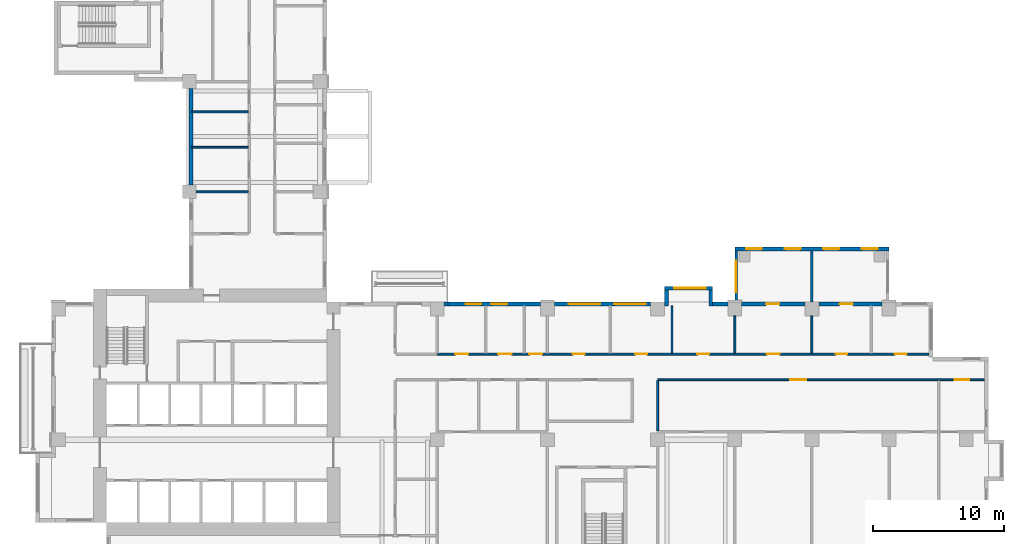
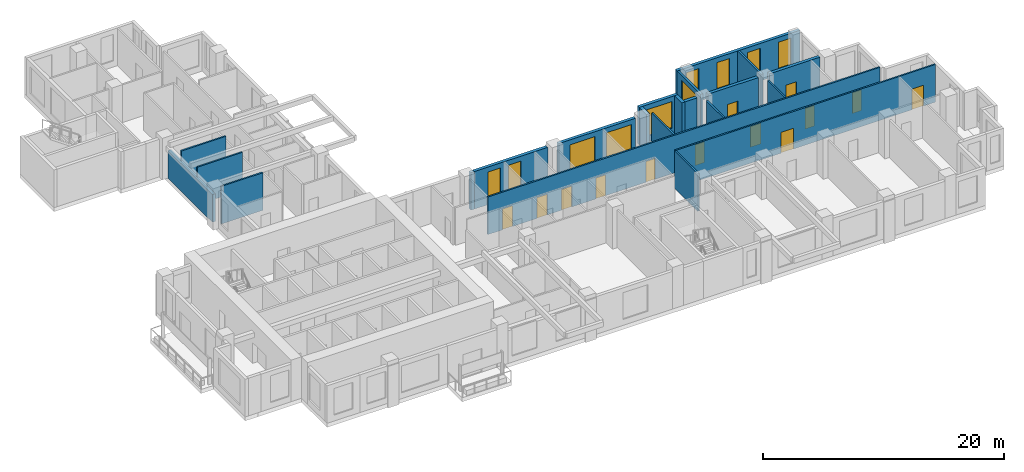
# One storey, part 5 of 14: 22 walls, 13 doors, 10 windows, 23 openings.
"""IFC4 building model written with IfcOpenShell, lengths in metres."""

from ifc_helpers import new_model, si_unit, direction, frame, frame_2d, origin, place, context, subcontext, project, spatial, rectangle, extrude, source, transform, mapped, material, layer, layer_set, type_object, element, fill, save


model = new_model("IFC4")

# Units and contexts
model_context = context("Model", 3, precision=1e-05, world=origin(), true_north=direction((0.0, 1.0)))
body_context = subcontext(model_context, "Body", "Model", "MODEL_VIEW")
ifc_project = project(units=[si_unit("LENGTHUNIT", "METRE"), si_unit("AREAUNIT", "SQUARE_METRE"), si_unit("VOLUMEUNIT", "CUBIC_METRE"), si_unit("PLANEANGLEUNIT", "RADIAN"), si_unit("MASSUNIT", "GRAM", prefix="KILO")], contexts=[model_context])

# Site, building, storey
site_placement = place(None, origin())
site = spatial("IfcSite", under=ifc_project, at=site_placement, CompositionType="ELEMENT")
building_placement = place(site_placement, origin())
building = spatial("IfcBuilding", under=site, at=building_placement, Name="Aurelian Terraces", CompositionType="ELEMENT")
storey_placement = place(building_placement, frame((0.0, 0.0, 128.7)))
storey = spatial("IfcBuildingStorey", under=building, at=storey_placement, Name="L28", CompositionType="ELEMENT", Elevation=128.7)

# Walls
ifc_material_1 = material(Name="Terracotta rainscreen cladding", Category="masonry")
ifc_layer_1 = layer(ifc_material_1, 0.3)
ifc_layer_set_1 = layer_set([ifc_layer_1], Name="EW-300")
wall_type_1 = type_object("IfcWallType", Name="EW-300", PredefinedType="STANDARD", material=ifc_layer_set_1)
wall_1_placement = place(storey_placement, frame((30.24, 20.85, 0.0), z_axis=(0.0, 0.0, 1.0), x_axis=(-1.0, 0.0, 0.0)))
element("IfcWall", 1, at=wall_1_placement, inside=storey, type_object=wall_type_1, Name="External wall L28 F07.23", PredefinedType="STANDARD", context=body_context, shape_type="SweptSolid", body=[
    extrude(rectangle(XDim=0.315, YDim=0.3, at=frame_2d((0.1575, 0.0))), origin(), (0.0, 0.0, 1.0), 3.8),
])
wall_2_placement = place(storey_placement, frame((10.65, 37.275, 0.0), z_axis=(0.0, 0.0, 1.0), x_axis=(0.0, -1.0, 0.0)))
element("IfcWall", 2, at=wall_2_placement, inside=storey, type_object=wall_type_1, Name="External wall L28 F18.39", PredefinedType="STANDARD", context=body_context, shape_type="SweptSolid", body=[
    extrude(rectangle(XDim=7.35, YDim=0.3, at=frame_2d((3.675, 0.0))), origin(), (0.0, 0.0, 1.0), 2.8),
])
shared_shape_1 = source(origin(), body_context, "Body", "SweptSolid", [
    extrude(rectangle(XDim=1.2, YDim=0.3, at=frame_2d((0.6, 0.0))), origin(), (0.0, 0.0, 1.0), 3.8),
])
for number, where, z_axis, x_axis, name in (
    (3, (50.25, 20.7, 0.0), (0.0, 0.0, 1.0), (0.0, 1.0, 0.0), "Bay return L28 F07.21.1"),
    (4, (46.875, 20.7, 0.0), (0.0, 0.0, 1.0), (0.0, 1.0, 0.0), "Bay return L28 F07.21.2"),
):
    element("IfcWall", number, at=place(storey_placement, frame(where, z_axis=z_axis, x_axis=x_axis)), inside=storey, type_object=wall_type_1, Name=name, PredefinedType="STANDARD", context=body_context, shape_type="MappedRepresentation", body=[
        mapped(shared_shape_1, transform((0.0, 0.0, 0.0), scale=1.0)),
    ])

# Wall, opening, window
ifc_material_2 = material(Name="Concrete fc' 40 MPa", Category="concrete")
ifc_layer_2 = layer(ifc_material_2, 0.2)
ifc_layer_set_2 = layer_set([ifc_layer_2], Name="BOX BEARING WALL 200")
wall_type_2 = type_object("IfcWallType", Name="BOX BEARING WALL 200", PredefinedType="SOLIDWALL", material=ifc_layer_set_2)
shared_shape_2 = source(origin(), body_context, "Body", "SweptSolid", [
    extrude(rectangle(XDim=3.9, YDim=0.2, at=frame_2d((1.95, 0.0))), origin(), (0.0, 0.0, 1.0), 3.79),
])
wall_3_placement = place(storey_placement, frame((52.18, 21.0, 0.0), z_axis=(0.0, 0.0, 1.0), x_axis=(0.0, 1.0, 0.0)))
wall_3 = element("IfcWall", 5, at=wall_3_placement, inside=storey, type_object=wall_type_2, Name="Box return L28 K02.2", PredefinedType="SOLIDWALL", context=body_context, shape_type="MappedRepresentation", body=[
    mapped(shared_shape_2, transform((0.0, 0.0, 0.0), scale=1.0)),
])
shared_shape_3 = source(origin(), body_context, "Body", "SweptSolid", [
    extrude(rectangle(XDim=2.4, YDim=2.7, at=frame_2d((1.2, 1.35))), frame((0.0, 0.11, 0.0), z_axis=(0.0, -1.0, 0.0), x_axis=(1.0, 0.0, 0.0)), (0.0, 0.0, 1.0), 0.22),
])
opening_1_placement = place(wall_3_placement, frame((0.75, 0.0, 0.6)))
opening_1 = element("IfcOpeningElement", 6, at=opening_1_placement, cuts=wall_3, Name="Opening W2427", PredefinedType="OPENING", context=body_context, shape_type="MappedRepresentation", body=[
    mapped(shared_shape_3, transform((0.0, 0.0, 0.0), scale=1.0)),
])
ifc_material_3 = material(Name="Clear glazing", Category="glass")
window_type_1 = type_object("IfcWindowType", Name="W-2400x2700", PartitioningType="SINGLE_PANEL", PredefinedType="WINDOW", material=ifc_material_3)
shared_shape_4 = source(origin(), body_context, "Body", "SweptSolid", [
    extrude(rectangle(XDim=2.4, YDim=2.7, at=frame_2d((1.2, 1.35))), frame((0.0, 0.03, 0.0), z_axis=(0.0, -1.0, 0.0), x_axis=(1.0, 0.0, 0.0)), (0.0, 0.0, 1.0), 0.06),
])
window_1_placement = place(opening_1_placement, origin())
window_1 = element("IfcWindow", 7, at=window_1_placement, inside=storey, type_object=window_type_1, Name="Window L28 K02-S2", OverallHeight=2.7, OverallWidth=2.4, PartitioningType="SINGLE_PANEL", PredefinedType="WINDOW", context=body_context, shape_type="MappedRepresentation", body=[
    mapped(shared_shape_4, transform((0.0, 0.0, 0.0), scale=1.0)),
])
fill(opening_1, window_1)

# Wall, openings, windows
ifc_layer_3 = layer(ifc_material_2, 0.3)
ifc_layer_set_3 = layer_set([ifc_layer_3], Name="BOX BEARING WALL 300")
wall_type_3 = type_object("IfcWallType", Name="BOX BEARING WALL 300", PredefinedType="SOLIDWALL", material=ifc_layer_set_3)
shared_shape_5 = source(origin(), body_context, "Body", "SweptSolid", [
    extrude(rectangle(XDim=11.76, YDim=0.3, at=frame_2d((5.88, 0.0))), origin(), (0.0, 0.0, 1.0), 3.79),
])
wall_4_placement = place(storey_placement, frame((63.84, 25.05, 0.0), z_axis=(0.0, 0.0, 1.0), x_axis=(-1.0, 0.0, 0.0)))
wall_4 = element("IfcWall", 8, at=wall_4_placement, inside=storey, type_object=wall_type_3, Name="Box wall L28 K02", PredefinedType="SOLIDWALL", context=body_context, shape_type="MappedRepresentation", body=[
    mapped(shared_shape_5, transform((0.0, 0.0, 0.0), scale=1.0)),
])
shared_shape_6 = source(origin(), body_context, "Body", "SweptSolid", [
    extrude(rectangle(XDim=1.2, YDim=2.7, at=frame_2d((0.6, 1.35))), frame((0.0, 0.16, 0.0), z_axis=(0.0, -1.0, 0.0), x_axis=(1.0, 0.0, 0.0)), (0.0, 0.0, 1.0), 0.32),
])
opening_2_placement = place(wall_4_placement, frame((0.87, 0.0, 0.6)))
opening_2 = element("IfcOpeningElement", 9, at=opening_2_placement, cuts=wall_4, Name="Opening W1227", PredefinedType="OPENING", context=body_context, shape_type="MappedRepresentation", body=[
    mapped(shared_shape_6, transform((0.0, 0.0, 0.0), scale=1.0)),
])
opening_3_placement = place(wall_4_placement, frame((3.81, 0.0, 0.6)))
opening_3 = element("IfcOpeningElement", 10, at=opening_3_placement, cuts=wall_4, Name="Opening W1227", PredefinedType="OPENING", context=body_context, shape_type="MappedRepresentation", body=[
    mapped(shared_shape_6, transform((0.0, 0.0, 0.0), scale=1.0)),
])
opening_4_placement = place(wall_4_placement, frame((6.75, 0.0, 0.6)))
opening_4 = element("IfcOpeningElement", 11, at=opening_4_placement, cuts=wall_4, Name="Opening W1227", PredefinedType="OPENING", context=body_context, shape_type="MappedRepresentation", body=[
    mapped(shared_shape_6, transform((0.0, 0.0, 0.0), scale=1.0)),
])
opening_5_placement = place(wall_4_placement, frame((9.69, 0.0, 0.6)))
opening_5 = element("IfcOpeningElement", 12, at=opening_5_placement, cuts=wall_4, Name="Opening W1227", PredefinedType="OPENING", context=body_context, shape_type="MappedRepresentation", body=[
    mapped(shared_shape_6, transform((0.0, 0.0, 0.0), scale=1.0)),
])
window_type_2 = type_object("IfcWindowType", Name="W-1200x2700", PartitioningType="SINGLE_PANEL", PredefinedType="WINDOW", material=ifc_material_3)
shared_shape_7 = source(origin(), body_context, "Body", "SweptSolid", [
    extrude(rectangle(XDim=1.2, YDim=2.7, at=frame_2d((0.6, 1.35))), frame((0.0, 0.03, 0.0), z_axis=(0.0, -1.0, 0.0), x_axis=(1.0, 0.0, 0.0)), (0.0, 0.0, 1.0), 0.06),
])
window_2_placement = place(opening_2_placement, origin())
window_2 = element("IfcWindow", 13, at=window_2_placement, inside=storey, type_object=window_type_2, Name="Window L28 K02-F1", OverallHeight=2.7, OverallWidth=1.2, PartitioningType="SINGLE_PANEL", PredefinedType="WINDOW", context=body_context, shape_type="MappedRepresentation", body=[
    mapped(shared_shape_7, transform((0.0, 0.0, 0.0), scale=1.0)),
])
fill(opening_2, window_2)
window_3_placement = place(opening_3_placement, origin())
window_3 = element("IfcWindow", 14, at=window_3_placement, inside=storey, type_object=window_type_2, Name="Window L28 K02-F2", OverallHeight=2.7, OverallWidth=1.2, PartitioningType="SINGLE_PANEL", PredefinedType="WINDOW", context=body_context, shape_type="MappedRepresentation", body=[
    mapped(shared_shape_7, transform((0.0, 0.0, 0.0), scale=1.0)),
])
fill(opening_3, window_3)
window_4_placement = place(opening_4_placement, origin())
window_4 = element("IfcWindow", 15, at=window_4_placement, inside=storey, type_object=window_type_2, Name="Window L28 K02-F3", OverallHeight=2.7, OverallWidth=1.2, PartitioningType="SINGLE_PANEL", PredefinedType="WINDOW", context=body_context, shape_type="MappedRepresentation", body=[
    mapped(shared_shape_7, transform((0.0, 0.0, 0.0), scale=1.0)),
])
fill(opening_4, window_4)
window_5_placement = place(opening_5_placement, origin())
window_5 = element("IfcWindow", 16, at=window_5_placement, inside=storey, type_object=window_type_2, Name="Window L28 K02-F4", OverallHeight=2.7, OverallWidth=1.2, PartitioningType="SINGLE_PANEL", PredefinedType="WINDOW", context=body_context, shape_type="MappedRepresentation", body=[
    mapped(shared_shape_7, transform((0.0, 0.0, 0.0), scale=1.0)),
])
fill(opening_5, window_5)

# Wall
shared_shape_8 = source(origin(), body_context, "Body", "SweptSolid", [
    extrude(rectangle(XDim=3.9, YDim=0.2, at=frame_2d((1.95, 0.0))), origin(), (0.0, 0.0, 1.0), 3.79),
])
wall_5_placement = place(storey_placement, frame((57.96, 21.0, 0.0), z_axis=(0.0, 0.0, 1.0), x_axis=(0.0, 1.0, 0.0)))
element("IfcWall", 17, at=wall_5_placement, inside=storey, type_object=wall_type_2, Name="Box partition L28 K02", PredefinedType="SOLIDWALL", context=body_context, shape_type="MappedRepresentation", body=[
    mapped(shared_shape_8, transform((0.0, 0.0, 0.0), scale=1.0)),
])

# Wall, openings, windows
shared_shape_9 = source(origin(), body_context, "Body", "SweptSolid", [
    extrude(rectangle(XDim=7.35, YDim=0.3, at=frame_2d((3.675, 0.0))), origin(), (0.0, 0.0, 1.0), 3.8),
])
wall_6_placement = place(storey_placement, frame((45.675, 20.85, 0.0), z_axis=(0.0, 0.0, 1.0), x_axis=(-1.0, 0.0, 0.0)))
wall_6 = element("IfcWall", 18, at=wall_6_placement, inside=storey, type_object=wall_type_1, Name="External wall L28 F07.22", PredefinedType="STANDARD", context=body_context, shape_type="MappedRepresentation", body=[
    mapped(shared_shape_9, transform((0.0, 0.0, 0.0), scale=1.0)),
])
shared_shape_10 = source(origin(), body_context, "Body", "SweptSolid", [
    extrude(rectangle(XDim=2.4, YDim=2.7, at=frame_2d((1.2, 1.35))), frame((0.0, 0.16, 0.0), z_axis=(0.0, -1.0, 0.0), x_axis=(1.0, 0.0, 0.0)), (0.0, 0.0, 1.0), 0.32),
])
opening_6_placement = place(wall_6_placement, frame((0.375, 0.0, 0.6)))
opening_6 = element("IfcOpeningElement", 19, at=opening_6_placement, cuts=wall_6, Name="Opening W2427", PredefinedType="OPENING", context=body_context, shape_type="MappedRepresentation", body=[
    mapped(shared_shape_10, transform((0.0, 0.0, 0.0), scale=1.0)),
])
opening_7_placement = place(wall_6_placement, frame((3.8625, 0.0, 0.6)))
opening_7 = element("IfcOpeningElement", 20, at=opening_7_placement, cuts=wall_6, Name="Opening W2427", PredefinedType="OPENING", context=body_context, shape_type="MappedRepresentation", body=[
    mapped(shared_shape_10, transform((0.0, 0.0, 0.0), scale=1.0)),
])
window_6_placement = place(opening_6_placement, origin())
window_6 = element("IfcWindow", 21, at=window_6_placement, inside=storey, type_object=window_type_1, Name="Window L28 L28-F07-22-0", OverallHeight=2.7, OverallWidth=2.4, PartitioningType="SINGLE_PANEL", PredefinedType="WINDOW", context=body_context, shape_type="MappedRepresentation", body=[
    mapped(shared_shape_4, transform((0.0, 0.0, 0.0), scale=1.0)),
])
fill(opening_6, window_6)
window_7_placement = place(opening_7_placement, origin())
window_7 = element("IfcWindow", 22, at=window_7_placement, inside=storey, type_object=window_type_1, Name="Window L28 L28-F07-22-G0-33", OverallHeight=2.7, OverallWidth=2.4, PartitioningType="SINGLE_PANEL", PredefinedType="WINDOW", context=body_context, shape_type="MappedRepresentation", body=[
    mapped(shared_shape_4, transform((0.0, 0.0, 0.0), scale=1.0)),
])
fill(opening_7, window_7)

# Wall, opening, door
shared_shape_11 = source(origin(), body_context, "Body", "SweptSolid", [
    extrude(rectangle(XDim=4.83, YDim=0.3, at=frame_2d((2.415, 0.0))), origin(), (0.0, 0.0, 1.0), 3.8),
])
wall_7_placement = place(storey_placement, frame((63.315, 20.85, 0.0), z_axis=(0.0, 0.0, 1.0), x_axis=(-1.0, 0.0, 0.0)))
wall_7 = element("IfcWall", 23, at=wall_7_placement, inside=storey, type_object=wall_type_1, Name="External wall L28 F07.20", PredefinedType="STANDARD", context=body_context, shape_type="MappedRepresentation", body=[
    mapped(shared_shape_11, transform((0.0, 0.0, 0.0), scale=1.0)),
])
shared_shape_12 = source(origin(), body_context, "Body", "SweptSolid", [
    extrude(rectangle(XDim=1.0, YDim=2.1, at=frame_2d((0.5, 1.05))), frame((0.0, 0.16, 0.0), z_axis=(0.0, -1.0, 0.0), x_axis=(1.0, 0.0, 0.0)), (0.0, 0.0, 1.0), 0.32),
])
opening_8_placement = place(wall_7_placement, frame((2.2417, 0.0, 0.0)))
opening_8 = element("IfcOpeningElement", 24, at=opening_8_placement, cuts=wall_7, Name="Opening 828001", PredefinedType="OPENING", context=body_context, shape_type="MappedRepresentation", body=[
    mapped(shared_shape_12, transform((0.0, 0.0, 0.0), scale=1.0)),
])
ifc_material_4 = material(Name="Timber door leaf", Category="wood")
door_type_1 = type_object("IfcDoorType", Name="Room door 1000x2100 left", OperationType="SINGLE_SWING_LEFT", PredefinedType="DOOR", material=ifc_material_4)
shared_shape_13 = source(origin(), body_context, "Body", "SweptSolid", [
    extrude(rectangle(XDim=1.0, YDim=2.1, at=frame_2d((0.5, 1.05))), frame((0.0, 0.025, 0.0), z_axis=(0.0, -1.0, 0.0), x_axis=(1.0, 0.0, 0.0)), (0.0, 0.0, 1.0), 0.05),
])
door_1_placement = place(opening_8_placement, origin())
door_1 = element("IfcDoor", 25, at=door_1_placement, inside=storey, type_object=door_type_1, Name="Door 828001", OperationType="SINGLE_SWING_LEFT", OverallHeight=2.1, OverallWidth=1.0, PredefinedType="DOOR", context=body_context, shape_type="MappedRepresentation", body=[
    mapped(shared_shape_13, transform((0.0, 0.0, 0.0), scale=1.0)),
])
fill(opening_8, door_1)

wall_8_placement = place(storey_placement, frame((57.435, 20.85, 0.0), z_axis=(0.0, 0.0, 1.0), x_axis=(-1.0, 0.0, 0.0)))
wall_8 = element("IfcWall", 26, at=wall_8_placement, inside=storey, type_object=wall_type_1, Name="External wall L28 F07.20", PredefinedType="STANDARD", context=body_context, shape_type="MappedRepresentation", body=[
    mapped(shared_shape_11, transform((0.0, 0.0, 0.0), scale=1.0)),
])
opening_9_placement = place(wall_8_placement, frame((1.9617, 0.0, 0.0)))
opening_9 = element("IfcOpeningElement", 27, at=opening_9_placement, cuts=wall_8, Name="Opening 828002", PredefinedType="OPENING", context=body_context, shape_type="MappedRepresentation", body=[
    mapped(shared_shape_12, transform((0.0, 0.0, 0.0), scale=1.0)),
])
door_2_placement = place(opening_9_placement, origin())
door_2 = element("IfcDoor", 28, at=door_2_placement, inside=storey, type_object=door_type_1, Name="Door 828002", OperationType="SINGLE_SWING_LEFT", OverallHeight=2.1, OverallWidth=1.0, PredefinedType="DOOR", context=body_context, shape_type="MappedRepresentation", body=[
    mapped(shared_shape_13, transform((0.0, 0.0, 0.0), scale=1.0)),
])
fill(opening_9, door_2)

# Wall
shared_shape_14 = source(origin(), body_context, "Body", "SweptSolid", [
    extrude(rectangle(XDim=1.155, YDim=0.3, at=frame_2d((0.5775, 0.0))), origin(), (0.0, 0.0, 1.0), 3.8),
])
wall_9_placement = place(storey_placement, frame((51.555, 20.85, 0.0), z_axis=(0.0, 0.0, 1.0), x_axis=(-1.0, 0.0, 0.0)))
element("IfcWall", 29, at=wall_9_placement, inside=storey, type_object=wall_type_1, Name="External wall L28 F07.20", PredefinedType="STANDARD", context=body_context, shape_type="MappedRepresentation", body=[
    mapped(shared_shape_14, transform((0.0, 0.0, 0.0), scale=1.0)),
])

# Wall, opening, window
shared_shape_15 = source(origin(), body_context, "Body", "SweptSolid", [
    extrude(rectangle(XDim=3.675, YDim=0.3, at=frame_2d((1.8375, 0.0))), origin(), (0.0, 0.0, 1.0), 3.8),
])
wall_10_placement = place(storey_placement, frame((50.4, 22.05, 0.0), z_axis=(0.0, 0.0, 1.0), x_axis=(-1.0, 0.0, 0.0)))
wall_10 = element("IfcWall", 30, at=wall_10_placement, inside=storey, type_object=wall_type_1, Name="Bay wall L28 F07.21", PredefinedType="STANDARD", context=body_context, shape_type="MappedRepresentation", body=[
    mapped(shared_shape_15, transform((0.0, 0.0, 0.0), scale=1.0)),
])
opening_10_placement = place(wall_10_placement, frame((0.5375, 0.0, 0.6)))
opening_10 = element("IfcOpeningElement", 31, at=opening_10_placement, cuts=wall_10, Name="Opening W2427", PredefinedType="OPENING", context=body_context, shape_type="MappedRepresentation", body=[
    mapped(shared_shape_10, transform((0.0, 0.0, 0.0), scale=1.0)),
])
window_8_placement = place(opening_10_placement, origin())
window_8 = element("IfcWindow", 32, at=window_8_placement, inside=storey, type_object=window_type_1, Name="Window L28 L28-F07-21-0", OverallHeight=2.7, OverallWidth=2.4, PartitioningType="SINGLE_PANEL", PredefinedType="WINDOW", context=body_context, shape_type="MappedRepresentation", body=[
    mapped(shared_shape_4, transform((0.0, 0.0, 0.0), scale=1.0)),
])
fill(opening_10, window_8)

# Wall, openings, windows
shared_shape_16 = source(origin(), body_context, "Body", "SweptSolid", [
    extrude(rectangle(XDim=7.035, YDim=0.3, at=frame_2d((3.5175, 0.0))), origin(), (0.0, 0.0, 1.0), 3.8),
])
wall_11_placement = place(storey_placement, frame((37.275, 20.85, 0.0), z_axis=(0.0, 0.0, 1.0), x_axis=(-1.0, 0.0, 0.0)))
wall_11 = element("IfcWall", 33, at=wall_11_placement, inside=storey, type_object=wall_type_1, Name="External wall L28 F07.22", PredefinedType="STANDARD", context=body_context, shape_type="MappedRepresentation", body=[
    mapped(shared_shape_16, transform((0.0, 0.0, 0.0), scale=1.0)),
])
opening_11_placement = place(wall_11_placement, frame((2.541, 0.0, 0.6)))
opening_11 = element("IfcOpeningElement", 34, at=opening_11_placement, cuts=wall_11, Name="Opening W1227", PredefinedType="OPENING", context=body_context, shape_type="MappedRepresentation", body=[
    mapped(shared_shape_6, transform((0.0, 0.0, 0.0), scale=1.0)),
])
opening_12_placement = place(wall_11_placement, frame((4.516, 0.0, 0.6)))
opening_12 = element("IfcOpeningElement", 35, at=opening_12_placement, cuts=wall_11, Name="Opening W1227", PredefinedType="OPENING", context=body_context, shape_type="MappedRepresentation", body=[
    mapped(shared_shape_6, transform((0.0, 0.0, 0.0), scale=1.0)),
])
window_9_placement = place(opening_11_placement, origin())
window_9 = element("IfcWindow", 36, at=window_9_placement, inside=storey, type_object=window_type_2, Name="Window L28 L28-F07-22-2.1", OverallHeight=2.7, OverallWidth=1.2, PartitioningType="SINGLE_PANEL", PredefinedType="WINDOW", context=body_context, shape_type="MappedRepresentation", body=[
    mapped(shared_shape_7, transform((0.0, 0.0, 0.0), scale=1.0)),
])
fill(opening_11, window_9)
window_10_placement = place(opening_12_placement, origin())
window_10 = element("IfcWindow", 37, at=window_10_placement, inside=storey, type_object=window_type_2, Name="Window L28 L28-F07-22-2.2", OverallHeight=2.7, OverallWidth=1.2, PartitioningType="SINGLE_PANEL", PredefinedType="WINDOW", context=body_context, shape_type="MappedRepresentation", body=[
    mapped(shared_shape_7, transform((0.0, 0.0, 0.0), scale=1.0)),
])
fill(opening_12, window_10)

# Wall
ifc_material_5 = material(Name="Gypsum board on steel studs", Category="steel")
ifc_layer_4 = layer(ifc_material_5, 0.15)
ifc_layer_set_4 = layer_set([ifc_layer_4], Name="Partition 150")
wall_type_4 = type_object("IfcWallType", Name="Partition 150", PredefinedType="PARTITIONING", material=ifc_layer_set_4)
shared_shape_17 = source(origin(), body_context, "Body", "SweptSolid", [
    extrude(rectangle(XDim=3.6, YDim=0.15, at=frame_2d((1.8, 0.0))), origin(), (0.0, 0.0, 1.0), 3.8),
])
wall_12_placement = place(storey_placement, frame((47.295, 20.7, 0.0), z_axis=(0.0, 0.0, 1.0), x_axis=(0.0, -1.0, 0.0)))
element("IfcWall", 38, at=wall_12_placement, inside=storey, type_object=wall_type_4, Name="Partition", PredefinedType="PARTITIONING", context=body_context, shape_type="MappedRepresentation", body=[
    mapped(shared_shape_17, transform((0.0, 0.0, 0.0), scale=1.0)),
])

# Wall, openings, doors
ifc_layer_5 = layer(ifc_material_5, 0.15)
ifc_layer_set_5 = layer_set([ifc_layer_5], Name="Fire partition 150")
wall_type_5 = type_object("IfcWallType", Name="Fire partition 150", PredefinedType="PARTITIONING", material=ifc_layer_set_5)
shared_shape_18 = source(origin(), body_context, "Body", "SweptSolid", [
    extrude(rectangle(XDim=24.9, YDim=0.15, at=frame_2d((12.45, 0.0))), origin(), (0.0, 0.0, 1.0), 3.8),
])
wall_13_placement = place(storey_placement, frame((71.1, 15.075, 0.0), z_axis=(0.0, 0.0, 1.0), x_axis=(-1.0, 0.0, 0.0)))
wall_13 = element("IfcWall", 39, at=wall_13_placement, inside=storey, type_object=wall_type_5, Name="Corridor wall", PredefinedType="PARTITIONING", context=body_context, shape_type="MappedRepresentation", body=[
    mapped(shared_shape_18, transform((0.0, 0.0, 0.0), scale=1.0)),
])
shared_shape_19 = source(origin(), body_context, "Body", "SweptSolid", [
    extrude(rectangle(XDim=1.2, YDim=2.1, at=frame_2d((0.6, 1.05))), frame((0.0, 0.085, 0.0), z_axis=(0.0, -1.0, 0.0), x_axis=(1.0, 0.0, 0.0)), (0.0, 0.0, 1.0), 0.17),
])
opening_13_placement = place(wall_13_placement, frame((13.59, 0.0, 0.0)))
opening_13 = element("IfcOpeningElement", 40, at=opening_13_placement, cuts=wall_13, Name="Opening 728011", PredefinedType="OPENING", context=body_context, shape_type="MappedRepresentation", body=[
    mapped(shared_shape_19, transform((0.0, 0.0, 0.0), scale=1.0)),
])
shared_shape_20 = source(origin(), body_context, "Body", "SweptSolid", [
    extrude(rectangle(XDim=1.1, YDim=2.1, at=frame_2d((0.55, 1.05))), frame((0.0, 0.085, 0.0), z_axis=(0.0, -1.0, 0.0), x_axis=(1.0, 0.0, 0.0)), (0.0, 0.0, 1.0), 0.17),
])
opening_14_placement = place(wall_13_placement, frame((1.1525, 0.0, 0.0)))
opening_14 = element("IfcOpeningElement", 41, at=opening_14_placement, cuts=wall_13, Name="Opening 728016", PredefinedType="OPENING", context=body_context, shape_type="MappedRepresentation", body=[
    mapped(shared_shape_20, transform((0.0, 0.0, 0.0), scale=1.0)),
])
door_type_2 = type_object("IfcDoorType", Name="Room door 1100x2100 right", OperationType="SINGLE_SWING_RIGHT", PredefinedType="DOOR", material=ifc_material_4)
shared_shape_21 = source(origin(), body_context, "Body", "SweptSolid", [
    extrude(rectangle(XDim=1.1, YDim=2.1, at=frame_2d((0.55, 1.05))), frame((0.0, 0.025, 0.0), z_axis=(0.0, -1.0, 0.0), x_axis=(1.0, 0.0, 0.0)), (0.0, 0.0, 1.0), 0.05),
])
door_3_placement = place(opening_14_placement, origin())
door_3 = element("IfcDoor", 42, at=door_3_placement, inside=storey, type_object=door_type_2, Name="Door 728016", OperationType="SINGLE_SWING_RIGHT", OverallHeight=2.1, OverallWidth=1.1, PredefinedType="DOOR", context=body_context, shape_type="MappedRepresentation", body=[
    mapped(shared_shape_21, transform((0.0, 0.0, 0.0), scale=1.0)),
])
fill(opening_14, door_3)
door_type_3 = type_object("IfcDoorType", Name="Room door 1200x2100 right", OperationType="SINGLE_SWING_RIGHT", PredefinedType="DOOR", material=ifc_material_4)
shared_shape_22 = source(origin(), body_context, "Body", "SweptSolid", [
    extrude(rectangle(XDim=1.2, YDim=2.1, at=frame_2d((0.6, 1.05))), frame((0.0, 0.025, 0.0), z_axis=(0.0, -1.0, 0.0), x_axis=(1.0, 0.0, 0.0)), (0.0, 0.0, 1.0), 0.05),
])
door_4_placement = place(opening_13_placement, origin())
door_4 = element("IfcDoor", 43, at=door_4_placement, inside=storey, type_object=door_type_3, Name="Door 728011", OperationType="SINGLE_SWING_RIGHT", OverallHeight=2.1, OverallWidth=1.2, PredefinedType="DOOR", context=body_context, shape_type="MappedRepresentation", body=[
    mapped(shared_shape_22, transform((0.0, 0.0, 0.0), scale=1.0)),
])
fill(opening_13, door_4)

# Walls
shared_shape_23 = source(origin(), body_context, "Body", "SweptSolid", [
    extrude(rectangle(XDim=4.295, YDim=0.15, at=frame_2d((2.1475, 0.0))), origin(), (0.0, 0.0, 1.0), 3.8),
])
for number, where, z_axis, x_axis, name in (
    (44, (15.0, 32.797, 0.0), (0.0, 0.0, 1.0), (-1.0, 0.0, 0.0), "Partition"),
    (45, (15.0, 35.4899, 0.0), (0.0, 0.0, 1.0), (-1.0, 0.0, 0.0), "Partition"),
):
    element("IfcWall", number, at=place(storey_placement, frame(where, z_axis=z_axis, x_axis=x_axis)), inside=storey, type_object=wall_type_4, Name=name, PredefinedType="PARTITIONING", context=body_context, shape_type="MappedRepresentation", body=[
        mapped(shared_shape_23, transform((0.0, 0.0, 0.0), scale=1.0)),
    ])

# Wall, openings, doors
shared_shape_24 = source(origin(), body_context, "Body", "SweptSolid", [
    extrude(rectangle(XDim=37.5, YDim=0.15, at=frame_2d((18.75, 0.0))), origin(), (0.0, 0.0, 1.0), 3.8),
])
wall_14_placement = place(storey_placement, frame((29.4, 17.025, 0.0), z_axis=(0.0, 0.0, 1.0), x_axis=(1.0, 0.0, 0.0)))
wall_14 = element("IfcWall", 46, at=wall_14_placement, inside=storey, type_object=wall_type_5, Name="Corridor wall", PredefinedType="PARTITIONING", context=body_context, shape_type="MappedRepresentation", body=[
    mapped(shared_shape_24, transform((0.0, 0.0, 0.0), scale=1.0)),
])
shared_shape_25 = source(origin(), body_context, "Body", "SweptSolid", [
    extrude(rectangle(XDim=1.0, YDim=2.1, at=frame_2d((0.5, 1.05))), frame((0.0, 0.085, 0.0), z_axis=(0.0, -1.0, 0.0), x_axis=(1.0, 0.0, 0.0)), (0.0, 0.0, 1.0), 0.17),
])
opening_15_placement = place(wall_14_placement, frame((1.3567, 0.0, 0.0)))
opening_15 = element("IfcOpeningElement", 47, at=opening_15_placement, cuts=wall_14, Name="Opening 728018", PredefinedType="OPENING", context=body_context, shape_type="MappedRepresentation", body=[
    mapped(shared_shape_25, transform((0.0, 0.0, 0.0), scale=1.0)),
])
opening_16_placement = place(wall_14_placement, frame((4.6686, 0.0, 0.0)))
opening_16 = element("IfcOpeningElement", 48, at=opening_16_placement, cuts=wall_14, Name="Opening 728019", PredefinedType="OPENING", context=body_context, shape_type="MappedRepresentation", body=[
    mapped(shared_shape_25, transform((0.0, 0.0, 0.0), scale=1.0)),
])
opening_17_placement = place(wall_14_placement, frame((7.012, 0.0, 0.0)))
opening_17 = element("IfcOpeningElement", 49, at=opening_17_placement, cuts=wall_14, Name="Opening 728020", PredefinedType="OPENING", context=body_context, shape_type="MappedRepresentation", body=[
    mapped(shared_shape_25, transform((0.0, 0.0, 0.0), scale=1.0)),
])
shared_shape_26 = source(origin(), body_context, "Body", "SweptSolid", [
    extrude(rectangle(XDim=0.9, YDim=2.1, at=frame_2d((0.45, 1.05))), frame((0.0, 0.085, 0.0), z_axis=(0.0, -1.0, 0.0), x_axis=(1.0, 0.0, 0.0)), (0.0, 0.0, 1.0), 0.17),
])
opening_18_placement = place(wall_14_placement, frame((10.3425, 0.0, 0.0)))
opening_18 = element("IfcOpeningElement", 50, at=opening_18_placement, cuts=wall_14, Name="Opening 728021", PredefinedType="OPENING", context=body_context, shape_type="MappedRepresentation", body=[
    mapped(shared_shape_26, transform((0.0, 0.0, 0.0), scale=1.0)),
])
opening_19_placement = place(wall_14_placement, frame((15.09, 0.0, 0.0)))
opening_19 = element("IfcOpeningElement", 51, at=opening_19_placement, cuts=wall_14, Name="Opening 728022", PredefinedType="OPENING", context=body_context, shape_type="MappedRepresentation", body=[
    mapped(shared_shape_26, transform((0.0, 0.0, 0.0), scale=1.0)),
])
opening_20_placement = place(wall_14_placement, frame((19.8375, 0.0, 0.0)))
opening_20 = element("IfcOpeningElement", 52, at=opening_20_placement, cuts=wall_14, Name="Opening 728023", PredefinedType="OPENING", context=body_context, shape_type="MappedRepresentation", body=[
    mapped(shared_shape_26, transform((0.0, 0.0, 0.0), scale=1.0)),
])
opening_21_placement = place(wall_14_placement, frame((25.12, 0.0, 0.0)))
opening_21 = element("IfcOpeningElement", 53, at=opening_21_placement, cuts=wall_14, Name="Opening 728024", PredefinedType="OPENING", context=body_context, shape_type="MappedRepresentation", body=[
    mapped(shared_shape_25, transform((0.0, 0.0, 0.0), scale=1.0)),
])
opening_22_placement = place(wall_14_placement, frame((30.3638, 0.0, 0.0)))
opening_22 = element("IfcOpeningElement", 54, at=opening_22_placement, cuts=wall_14, Name="Opening 728025", PredefinedType="OPENING", context=body_context, shape_type="MappedRepresentation", body=[
    mapped(shared_shape_26, transform((0.0, 0.0, 0.0), scale=1.0)),
])
opening_23_placement = place(wall_14_placement, frame((34.8713, 0.0, 0.0)))
opening_23 = element("IfcOpeningElement", 55, at=opening_23_placement, cuts=wall_14, Name="Opening 728026", PredefinedType="OPENING", context=body_context, shape_type="MappedRepresentation", body=[
    mapped(shared_shape_26, transform((0.0, 0.0, 0.0), scale=1.0)),
])
door_type_4 = type_object("IfcDoorType", Name="Room door 1000x2100 right", OperationType="SINGLE_SWING_RIGHT", PredefinedType="DOOR", material=ifc_material_4)
door_5_placement = place(opening_15_placement, origin())
door_5 = element("IfcDoor", 56, at=door_5_placement, inside=storey, type_object=door_type_4, Name="Door 728018", OperationType="SINGLE_SWING_RIGHT", OverallHeight=2.1, OverallWidth=1.0, PredefinedType="DOOR", context=body_context, shape_type="MappedRepresentation", body=[
    mapped(shared_shape_13, transform((0.0, 0.0, 0.0), scale=1.0)),
])
fill(opening_15, door_5)
door_6_placement = place(opening_16_placement, origin())
door_6 = element("IfcDoor", 57, at=door_6_placement, inside=storey, type_object=door_type_1, Name="Door 728019", OperationType="SINGLE_SWING_LEFT", OverallHeight=2.1, OverallWidth=1.0, PredefinedType="DOOR", context=body_context, shape_type="MappedRepresentation", body=[
    mapped(shared_shape_13, transform((0.0, 0.0, 0.0), scale=1.0)),
])
fill(opening_16, door_6)
door_7_placement = place(opening_17_placement, origin())
door_7 = element("IfcDoor", 58, at=door_7_placement, inside=storey, type_object=door_type_4, Name="Door 728020", OperationType="SINGLE_SWING_RIGHT", OverallHeight=2.1, OverallWidth=1.0, PredefinedType="DOOR", context=body_context, shape_type="MappedRepresentation", body=[
    mapped(shared_shape_13, transform((0.0, 0.0, 0.0), scale=1.0)),
])
fill(opening_17, door_7)
door_8_placement = place(opening_21_placement, origin())
door_8 = element("IfcDoor", 59, at=door_8_placement, inside=storey, type_object=door_type_4, Name="Door 728024", OperationType="SINGLE_SWING_RIGHT", OverallHeight=2.1, OverallWidth=1.0, PredefinedType="DOOR", context=body_context, shape_type="MappedRepresentation", body=[
    mapped(shared_shape_13, transform((0.0, 0.0, 0.0), scale=1.0)),
])
fill(opening_21, door_8)
door_type_5 = type_object("IfcDoorType", Name="Room door 900x2100 right", OperationType="SINGLE_SWING_RIGHT", PredefinedType="DOOR", material=ifc_material_4)
shared_shape_27 = source(origin(), body_context, "Body", "SweptSolid", [
    extrude(rectangle(XDim=0.9, YDim=2.1, at=frame_2d((0.45, 1.05))), frame((0.0, 0.025, 0.0), z_axis=(0.0, -1.0, 0.0), x_axis=(1.0, 0.0, 0.0)), (0.0, 0.0, 1.0), 0.05),
])
door_9_placement = place(opening_18_placement, origin())
door_9 = element("IfcDoor", 60, at=door_9_placement, inside=storey, type_object=door_type_5, Name="Door 728021", OperationType="SINGLE_SWING_RIGHT", OverallHeight=2.1, OverallWidth=0.9, PredefinedType="DOOR", context=body_context, shape_type="MappedRepresentation", body=[
    mapped(shared_shape_27, transform((0.0, 0.0, 0.0), scale=1.0)),
])
fill(opening_18, door_9)
door_type_6 = type_object("IfcDoorType", Name="Room door 900x2100 left", OperationType="SINGLE_SWING_LEFT", PredefinedType="DOOR", material=ifc_material_4)
door_10_placement = place(opening_19_placement, origin())
door_10 = element("IfcDoor", 61, at=door_10_placement, inside=storey, type_object=door_type_6, Name="Door 728022", OperationType="SINGLE_SWING_LEFT", OverallHeight=2.1, OverallWidth=0.9, PredefinedType="DOOR", context=body_context, shape_type="MappedRepresentation", body=[
    mapped(shared_shape_27, transform((0.0, 0.0, 0.0), scale=1.0)),
])
fill(opening_19, door_10)
door_11_placement = place(opening_20_placement, origin())
door_11 = element("IfcDoor", 62, at=door_11_placement, inside=storey, type_object=door_type_5, Name="Door 728023", OperationType="SINGLE_SWING_RIGHT", OverallHeight=2.1, OverallWidth=0.9, PredefinedType="DOOR", context=body_context, shape_type="MappedRepresentation", body=[
    mapped(shared_shape_27, transform((0.0, 0.0, 0.0), scale=1.0)),
])
fill(opening_20, door_11)
door_12_placement = place(opening_22_placement, origin())
door_12 = element("IfcDoor", 63, at=door_12_placement, inside=storey, type_object=door_type_5, Name="Door 728025", OperationType="SINGLE_SWING_RIGHT", OverallHeight=2.1, OverallWidth=0.9, PredefinedType="DOOR", context=body_context, shape_type="MappedRepresentation", body=[
    mapped(shared_shape_27, transform((0.0, 0.0, 0.0), scale=1.0)),
])
fill(opening_22, door_12)
door_13_placement = place(opening_23_placement, origin())
door_13 = element("IfcDoor", 64, at=door_13_placement, inside=storey, type_object=door_type_6, Name="Door 728026", OperationType="SINGLE_SWING_LEFT", OverallHeight=2.1, OverallWidth=0.9, PredefinedType="DOOR", context=body_context, shape_type="MappedRepresentation", body=[
    mapped(shared_shape_27, transform((0.0, 0.0, 0.0), scale=1.0)),
])
fill(opening_23, door_13)

# Walls
shared_shape_28 = source(origin(), body_context, "Body", "SweptSolid", [
    extrude(rectangle(XDim=3.976, YDim=0.15, at=frame_2d((1.988, 0.0))), origin(), (0.0, 0.0, 1.0), 3.8),
])
wall_15_placement = place(storey_placement, frame((15.0, 29.4, 0.0), z_axis=(0.0, 0.0, 1.0), x_axis=(-1.0, 0.0, 0.0)))
element("IfcWall", 65, at=wall_15_placement, inside=storey, type_object=wall_type_4, Name="Partition", PredefinedType="PARTITIONING", context=body_context, shape_type="MappedRepresentation", body=[
    mapped(shared_shape_28, transform((0.0, 0.0, 0.0), scale=1.0)),
])
shared_shape_29 = source(origin(), body_context, "Body", "SweptSolid", [
    extrude(rectangle(XDim=3.825, YDim=0.15, at=frame_2d((1.9125, 0.0))), origin(), (0.0, 0.0, 1.0), 3.8),
])
wall_16_placement = place(storey_placement, frame((46.2, 11.175, 0.0), z_axis=(0.0, 0.0, 1.0), x_axis=(0.0, 1.0, 0.0)))
element("IfcWall", 66, at=wall_16_placement, inside=storey, type_object=wall_type_4, Name="Partition", PredefinedType="PARTITIONING", context=body_context, shape_type="MappedRepresentation", body=[
    mapped(shared_shape_29, transform((0.0, 0.0, 0.0), scale=1.0)),
])
shared_shape_30 = source(origin(), body_context, "Body", "SweptSolid", [
    extrude(rectangle(XDim=2.851, YDim=0.15, at=frame_2d((1.4255, 0.0))), origin(), (0.0, 0.0, 1.0), 3.8),
])
for number, where, z_axis, x_axis, name in (
    (67, (52.08, 17.1, 0.0), (0.0, 0.0, 1.0), (0.0, 1.0, 0.0), "Partition"),
    (68, (57.96, 17.1, 0.0), (0.0, 0.0, 1.0), (0.0, 1.0, 0.0), "Partition"),
):
    element("IfcWall", number, at=place(storey_placement, frame(where, z_axis=z_axis, x_axis=x_axis)), inside=storey, type_object=wall_type_4, Name=name, PredefinedType="PARTITIONING", context=body_context, shape_type="MappedRepresentation", body=[
        mapped(shared_shape_30, transform((0.0, 0.0, 0.0), scale=1.0)),
    ])

save(model, "model.ifc")
